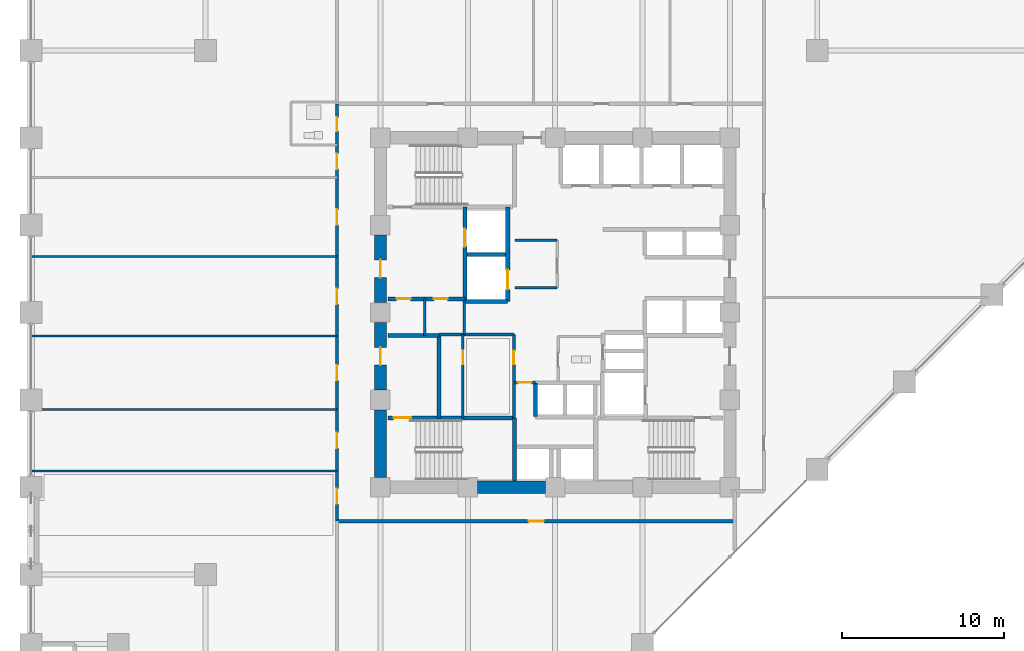
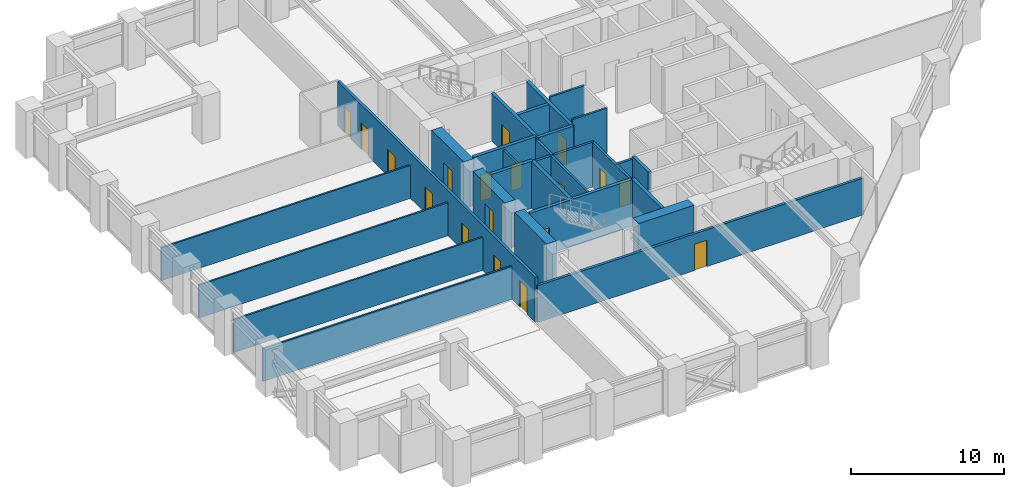
# One storey, part 20 of 25: 28 walls, 18 doors, 18 openings.
"""IFC4 building model written with IfcOpenShell, lengths in metres."""

from ifc_helpers import new_model, si_unit, direction, frame, frame_2d, origin, place, context, subcontext, project, spatial, rectangle, extrude, material, layer, layer_set, type_object, element, fill, save


model = new_model("IFC4")

# Units and contexts
model_context = context("Model", 3, precision=1e-05, world=origin(), true_north=direction((0.0, 1.0)))
body_context = subcontext(model_context, "Body", "Model", "MODEL_VIEW")
ifc_project = project(units=[si_unit("LENGTHUNIT", "METRE"), si_unit("AREAUNIT", "SQUARE_METRE"), si_unit("VOLUMEUNIT", "CUBIC_METRE"), si_unit("PLANEANGLEUNIT", "RADIAN"), si_unit("MASSUNIT", "GRAM", prefix="KILO")], contexts=[model_context])

# Site, building, storey
site_placement = place(None, origin())
site = spatial("IfcSite", under=ifc_project, at=site_placement, CompositionType="ELEMENT")
building_placement = place(site_placement, origin())
building = spatial("IfcBuilding", under=site, at=building_placement, Name="Surkhivell Harbour Commons", CompositionType="ELEMENT")
storey_placement = place(building_placement, frame((0.0, 0.0, 33.75)))
storey = spatial("IfcBuildingStorey", under=building, at=storey_placement, Name="L08", CompositionType="ELEMENT", Elevation=33.75)

# Walls
ifc_material_1 = material(Name="Concrete C60/75", Category="concrete")
ifc_layer_1 = layer(ifc_material_1, 0.75)
ifc_layer_set_1 = layer_set([ifc_layer_1], Name="Concrete C60/75")
wall_type_1 = type_object("IfcWallType", Name="WAL-CORE-750", PredefinedType="SHEAR", material=ifc_layer_set_1)
for number, where, z_axis, x_axis, name in (
    (1, (-10.800048828125, -10.18994140625, 0.0), (0.0, 0.0, 1.0), (0.0, 1.0, 0.0), "L08 Core Shear Wall West 1"),
    (2, (-4.7900390625, -10.800048828125, 0.0), (0.0, 0.0, 1.0), (1.0, 0.0, 0.0), "L08 Core Shear Wall South 2"),
):
    element("IfcWall", number, at=place(storey_placement, frame(where, z_axis=z_axis, x_axis=x_axis)), inside=storey, type_object=wall_type_1, Name=name, PredefinedType="SHEAR", context=body_context, shape_type="SweptSolid", body=[
        extrude(rectangle(XDim=4.179931640625, YDim=0.75, at=frame_2d((2.08984375, 0.0))), origin(), (0.0, 0.0, 1.0), 3.75),
    ])

# Wall, opening, door
wall_1_placement = place(storey_placement, frame((-10.800048828125, -4.7900390625, 0.0), z_axis=(0.0, 0.0, 1.0), x_axis=(0.0, 1.0, 0.0)))
wall_1 = element("IfcWall", 3, at=wall_1_placement, inside=storey, type_object=wall_type_1, Name="L08 Core Shear Wall West 2", PredefinedType="SHEAR", context=body_context, shape_type="SweptSolid", body=[
    extrude(rectangle(XDim=4.179931640625, YDim=0.75, at=frame_2d((2.08984375, 0.0))), origin(), (0.0, 0.0, 1.0), 3.75),
])
opening_1_placement = place(wall_1_placement, frame((1.5400390625, 0.0, 0.0)))
opening_1 = element("IfcOpeningElement", 4, at=opening_1_placement, cuts=wall_1, Name="Opening ID-2", PredefinedType="OPENING", context=body_context, shape_type="SweptSolid", body=[
    extrude(rectangle(XDim=1.10009765625, YDim=2.10009765625, at=frame_2d((0.550048828125, 1.050048828125))), frame((0.0, 0.385009765625, 0.0), z_axis=(0.0, -1.0, 0.0), x_axis=(1.0, 0.0, 0.0)), (0.0, 0.0, 1.0), 0.77001953125),
])
ifc_material_2 = material(Name="Hardwood-veneered fire-rated door leaf", Category="wood")
door_type_1 = type_object("IfcDoorType", Name="DOR-FD60-1100", OperationType="NOTDEFINED", PredefinedType="DOOR", material=ifc_material_2)
door_1_placement = place(opening_1_placement, origin())
door_1 = element("IfcDoor", 5, at=door_1_placement, inside=storey, type_object=door_type_1, Name="L08 Stair 3 Lobby Corridor Door", OperationType="SINGLE_SWING_LEFT", OverallHeight=2.10009765625, OverallWidth=1.10009765625, PredefinedType="DOOR", context=body_context, shape_type="SweptSolid", body=[
    extrude(rectangle(XDim=1.10009765625, YDim=2.10009765625, at=frame_2d((0.550048828125, 1.050048828125))), frame((0.0, 0.02490234375, 0.0), z_axis=(0.0, -1.0, 0.0), x_axis=(1.0, 0.0, 0.0)), (0.0, 0.0, 1.0), 0.050048828125),
])
fill(opening_1, door_1)

wall_2_placement = place(storey_placement, frame((-10.800048828125, 0.610107421875, 0.0), z_axis=(0.0, 0.0, 1.0), x_axis=(0.0, 1.0, 0.0)))
wall_2 = element("IfcWall", 6, at=wall_2_placement, inside=storey, type_object=wall_type_1, Name="L08 Core Shear Wall West 3", PredefinedType="SHEAR", context=body_context, shape_type="SweptSolid", body=[
    extrude(rectangle(XDim=4.179931640625, YDim=0.75, at=frame_2d((2.08984375, 0.0))), origin(), (0.0, 0.0, 1.0), 3.75),
])
opening_2_placement = place(wall_2_placement, frame((1.5400390625, 0.0, 0.0)))
opening_2 = element("IfcOpeningElement", 7, at=opening_2_placement, cuts=wall_2, Name="Opening ID-1", PredefinedType="OPENING", context=body_context, shape_type="SweptSolid", body=[
    extrude(rectangle(XDim=1.10009765625, YDim=2.10009765625, at=frame_2d((0.550048828125, 1.050048828125))), frame((0.0, 0.385009765625, 0.0), z_axis=(0.0, -1.0, 0.0), x_axis=(1.0, 0.0, 0.0)), (0.0, 0.0, 1.0), 0.77001953125),
])
door_type_2 = type_object("IfcDoorType", Name="DOR-FD120-1100", OperationType="NOTDEFINED", PredefinedType="DOOR", material=ifc_material_2)
door_2_placement = place(opening_2_placement, origin())
door_2 = element("IfcDoor", 8, at=door_2_placement, inside=storey, type_object=door_type_2, Name="L08 Firefighting Lobby 1 Corridor Door", OperationType="SINGLE_SWING_LEFT", OverallHeight=2.10009765625, OverallWidth=1.10009765625, PredefinedType="DOOR", context=body_context, shape_type="SweptSolid", body=[
    extrude(rectangle(XDim=1.10009765625, YDim=2.10009765625, at=frame_2d((0.550048828125, 1.050048828125))), frame((0.0, 0.02490234375, 0.0), z_axis=(0.0, -1.0, 0.0), x_axis=(1.0, 0.0, 0.0)), (0.0, 0.0, 1.0), 0.050048828125),
])
fill(opening_2, door_2)

# Walls
ifc_material_3 = material(Name="Moisture-resistant acoustic stud partition", Category="other")
ifc_layer_2 = layer(ifc_material_3, 0.125)
ifc_layer_set_2 = layer_set([ifc_layer_2], Name="Moisture-resistant acoustic stud partition")
wall_type_2 = type_object("IfcWallType", Name="WAL-INT-125", PredefinedType="PARTITIONING", material=ifc_layer_set_2)
for number, where, z_axis, x_axis, name in (
    (9, (-32.340087890625, -5.989990234375, 0.0), (0.0, 0.0, 1.0), (1.0, 0.0, 0.0), "L08 West Partition BDP1"),
    (10, (-32.340087890625, -1.449951171875, 0.0), (0.0, 0.0, 1.0), (1.0, 0.0, 0.0), "L08 West Partition BDP2"),
    (11, (-32.340087890625, 3.449951171875, 0.0), (0.0, 0.0, 1.0), (1.0, 0.0, 0.0), "L08 West Partition BDP3"),
    (12, (-32.340087890625, -9.800048828125, 0.0), (0.0, 0.0, 1.0), (1.0, 0.0, 0.0), "L08 West Partition PBOT"),
):
    element("IfcWall", number, at=place(storey_placement, frame(where, z_axis=z_axis, x_axis=x_axis)), inside=storey, type_object=wall_type_2, Name=name, PredefinedType="PARTITIONING", context=body_context, shape_type="SweptSolid", body=[
        extrude(rectangle(XDim=18.860107421875, YDim=0.125, at=frame_2d((9.43017578125, 0.0))), origin(), (0.0, 0.0, 1.0), 2.62890625),
    ])

# Wall, opening, door
ifc_material_4 = material(Name="Twin-stud acoustic fireboard partition", Category="other")
ifc_layer_3 = layer(ifc_material_4, 0.14990234375)
ifc_layer_set_3 = layer_set([ifc_layer_3], Name="Twin-stud acoustic fireboard partition")
wall_type_3 = type_object("IfcWallType", Name="WAL-INT-150", PredefinedType="PARTITIONING", material=ifc_layer_set_3)
wall_3_placement = place(storey_placement, frame((-5.699951171875, -6.510009765625, 0.0), z_axis=(0.0, 0.0, 1.0), x_axis=(0.0, 1.0, 0.0)))
wall_3 = element("IfcWall", 13, at=wall_3_placement, inside=storey, type_object=wall_type_3, Name="L08 Core Cut B Partition", PredefinedType="PARTITIONING", context=body_context, shape_type="SweptSolid", body=[
    extrude(rectangle(XDim=5.159912109375, YDim=0.14990234375, at=frame_2d((2.580078125, 0.0))), origin(), (0.0, 0.0, 1.0), 3.570068359375),
])
opening_3_placement = place(wall_3_placement, frame((3.300048828125, 0.0, 0.0)))
opening_3 = element("IfcOpeningElement", 14, at=opening_3_placement, cuts=wall_3, Name="Opening ID-6", PredefinedType="OPENING", context=body_context, shape_type="SweptSolid", body=[
    extrude(rectangle(XDim=0.85009765625, YDim=2.10009765625, at=frame_2d((0.425048828125, 1.050048828125))), frame((0.0, 0.0849609375, 0.0), z_axis=(0.0, -1.0, 0.0), x_axis=(1.0, 0.0, 0.0)), (0.0, 0.0, 1.0), 0.169921875),
])
door_type_3 = type_object("IfcDoorType", Name="DOR-FD30-850", OperationType="NOTDEFINED", PredefinedType="DOOR", material=ifc_material_2)
door_3_placement = place(opening_3_placement, origin())
door_3 = element("IfcDoor", 15, at=door_3_placement, inside=storey, type_object=door_type_3, Name="L08 Core Focus Study Door", OperationType="SINGLE_SWING_RIGHT", OverallHeight=2.10009765625, OverallWidth=0.85009765625, PredefinedType="DOOR", context=body_context, shape_type="SweptSolid", body=[
    extrude(rectangle(XDim=0.85009765625, YDim=2.10009765625, at=frame_2d((0.425048828125, 1.050048828125))), frame((0.0, 0.02490234375, 0.0), z_axis=(0.0, -1.0, 0.0), x_axis=(1.0, 0.0, 0.0)), (0.0, 0.0, 1.0), 0.050048828125),
])
fill(opening_3, door_3)

# Walls
wall_4_placement = place(storey_placement, frame((-8.050048828125, -1.419921875, 0.0), z_axis=(0.0, 0.0, 1.0), x_axis=(0.0, 1.0, 0.0)))
element("IfcWall", 16, at=wall_4_placement, inside=storey, type_object=wall_type_3, Name="L08 West Seminar Booth Divider", PredefinedType="PARTITIONING", context=body_context, shape_type="SweptSolid", body=[
    extrude(rectangle(XDim=2.27001953125, YDim=0.14990234375, at=frame_2d((1.135009765625, 0.0))), origin(), (0.0, 0.0, 1.0), 3.570068359375),
])
for number, where, z_axis, x_axis, name in (
    (17, (-2.47998046875, 4.47998046875, 0.0), (0.0, 0.0, 1.0), (1.0, 0.0, 0.0), "L08 Central Reading North Wall"),
    (18, (-2.47998046875, 1.52001953125, 0.0), (0.0, 0.0, 1.0), (1.0, 0.0, 0.0), "L08 Central Reading South Wall"),
):
    element("IfcWall", number, at=place(storey_placement, frame(where, z_axis=z_axis, x_axis=x_axis)), inside=storey, type_object=wall_type_3, Name=name, PredefinedType="PARTITIONING", context=body_context, shape_type="SweptSolid", body=[
        extrude(rectangle(XDim=2.60009765625, YDim=0.14990234375, at=frame_2d((1.300048828125, 0.0))), origin(), (0.0, 0.0, 1.0), 3.570068359375),
    ])

# Wall, opening, door
ifc_material_5 = material(Name="High-density acoustic blockwork fire partition", Category="masonry")
ifc_layer_4 = layer(ifc_material_5, 0.175048828125)
ifc_layer_set_4 = layer_set([ifc_layer_4], Name="High-density acoustic blockwork fire partition")
wall_type_4 = type_object("IfcWallType", Name="WAL-INT-175", PredefinedType="PARTITIONING", material=ifc_layer_set_4)
wall_5_placement = place(storey_placement, frame((-2.550048828125, -6.510009765625, 0.0), z_axis=(0.0, 0.0, 1.0), x_axis=(0.0, 1.0, 0.0)))
wall_5 = element("IfcWall", 19, at=wall_5_placement, inside=storey, type_object=wall_type_4, Name="L08 Core Service Bay East Wall", PredefinedType="PARTITIONING", context=body_context, shape_type="SweptSolid", body=[
    extrude(rectangle(XDim=5.159912109375, YDim=0.175048828125, at=frame_2d((2.580078125, 0.0))), origin(), (0.0, 0.0, 1.0), 3.570068359375),
])
opening_4_placement = place(wall_5_placement, frame((3.300048828125, 0.0, 0.0)))
opening_4 = element("IfcOpeningElement", 20, at=opening_4_placement, cuts=wall_5, Name="Opening ID-6", PredefinedType="OPENING", context=body_context, shape_type="SweptSolid", body=[
    extrude(rectangle(XDim=0.85009765625, YDim=2.10009765625, at=frame_2d((0.425048828125, 1.050048828125))), frame((0.0, 0.097412109375, 0.0), z_axis=(0.0, -1.0, 0.0), x_axis=(1.0, 0.0, 0.0)), (0.0, 0.0, 1.0), 0.195068359375),
])
door_4_placement = place(opening_4_placement, origin())
door_4 = element("IfcDoor", 21, at=door_4_placement, inside=storey, type_object=door_type_3, Name="L08 Core Music Door", OperationType="SINGLE_SWING_LEFT", OverallHeight=2.10009765625, OverallWidth=0.85009765625, PredefinedType="DOOR", context=body_context, shape_type="SweptSolid", body=[
    extrude(rectangle(XDim=0.85009765625, YDim=2.10009765625, at=frame_2d((0.425048828125, 1.050048828125))), frame((0.0, 0.02490234375, 0.0), z_axis=(0.0, -1.0, 0.0), x_axis=(1.0, 0.0, 0.0)), (0.0, 0.0, 1.0), 0.050048828125),
])
fill(opening_4, door_4)

# Walls
wall_6_placement = place(storey_placement, frame((-7.179931640625, -1.35009765625, 0.0), z_axis=(0.0, 0.0, 1.0), x_axis=(1.0, 0.0, 0.0)))
element("IfcWall", 22, at=wall_6_placement, inside=storey, type_object=wall_type_4, Name="L08 Core Service Bay North Wall", PredefinedType="PARTITIONING", context=body_context, shape_type="SweptSolid", body=[
    extrude(rectangle(XDim=4.6298828125, YDim=0.175048828125, at=frame_2d((2.31494140625, 0.0))), origin(), (0.0, 0.0, 1.0), 3.570068359375),
])
wall_7_placement = place(storey_placement, frame((-5.6201171875, -1.35009765625, 0.0), z_axis=(0.0, 0.0, 1.0), x_axis=(0.0, 1.0, 0.0)))
element("IfcWall", 23, at=wall_7_placement, inside=storey, type_object=wall_type_4, Name="L08 West Core Bay East Wall", PredefinedType="PARTITIONING", context=body_context, shape_type="SweptSolid", body=[
    extrude(rectangle(XDim=2.070068359375, YDim=0.175048828125, at=frame_2d((1.03515625, 0.0))), origin(), (0.0, 0.0, 1.0), 3.570068359375),
])

# Wall, opening, door
wall_8_placement = place(storey_placement, frame((-2.52001953125, -4.320068359375, 0.0), z_axis=(0.0, 0.0, 1.0), x_axis=(1.0, 0.0, 0.0)))
wall_8 = element("IfcWall", 24, at=wall_8_placement, inside=storey, type_object=wall_type_4, Name="L08 High-Rise Lobby North Portal Wall", PredefinedType="PARTITIONING", context=body_context, shape_type="SweptSolid", body=[
    extrude(rectangle(XDim=1.300048828125, YDim=0.175048828125, at=frame_2d((0.64990234375, 0.0))), origin(), (0.0, 0.0, 1.0), 3.570068359375),
])
opening_5_placement = place(wall_8_placement, frame((0.219970703125, 0.0, 0.0)))
opening_5 = element("IfcOpeningElement", 25, at=opening_5_placement, cuts=wall_8, Name="Opening ID-6", PredefinedType="OPENING", context=body_context, shape_type="SweptSolid", body=[
    extrude(rectangle(XDim=0.85009765625, YDim=2.10009765625, at=frame_2d((0.425048828125, 1.050048828125))), frame((0.0, 0.097412109375, 0.0), z_axis=(0.0, -1.0, 0.0), x_axis=(1.0, 0.0, 0.0)), (0.0, 0.0, 1.0), 0.195068359375),
])
door_5_placement = place(opening_5_placement, origin())
door_5 = element("IfcDoor", 26, at=door_5_placement, inside=storey, type_object=door_type_3, Name="L08 High-Rise Lift Lobby North Door", OperationType="SINGLE_SWING_LEFT", OverallHeight=2.10009765625, OverallWidth=0.85009765625, PredefinedType="DOOR", context=body_context, shape_type="SweptSolid", body=[
    extrude(rectangle(XDim=0.85009765625, YDim=2.10009765625, at=frame_2d((0.425048828125, 1.050048828125))), frame((0.0, 0.02490234375, 0.0), z_axis=(0.0, -1.0, 0.0), x_axis=(1.0, 0.0, 0.0)), (0.0, 0.0, 1.0), 0.050048828125),
])
fill(opening_5, door_5)

ifc_material_6 = material(Name="Autoclaved aerated concrete blockwork and fire plaster", Category="masonry")
ifc_layer_5 = layer(ifc_material_6, 0.199951171875)
ifc_layer_set_5 = layer_set([ifc_layer_5], Name="Autoclaved aerated concrete blockwork and fire plaster")
wall_type_5 = type_object("IfcWallType", Name="WAL-INT-200", PredefinedType="PARTITIONING", material=ifc_layer_set_5)
wall_9_placement = place(storey_placement, frame((-13.47998046875, -12.89990234375, 0.0), z_axis=(0.0, 0.0, 1.0), x_axis=(1.0, 0.0, 0.0)))
wall_9 = element("IfcWall", 27, at=wall_9_placement, inside=storey, type_object=wall_type_5, Name="L08 Corridor South Wall", PredefinedType="PARTITIONING", context=body_context, shape_type="SweptSolid", body=[
    extrude(rectangle(XDim=24.580078125, YDim=0.199951171875, at=frame_2d((12.2900390625, 0.0))), origin(), (0.0, 0.0, 1.0), 2.929931640625),
])
opening_6_placement = place(wall_9_placement, frame((11.840087890625, 0.0, 0.0)))
opening_6 = element("IfcOpeningElement", 28, at=opening_6_placement, cuts=wall_9, Name="Opening ID-4", PredefinedType="OPENING", context=body_context, shape_type="SweptSolid", body=[
    extrude(rectangle(XDim=0.949951171875, YDim=2.10009765625, at=frame_2d((0.47509765625, 1.050048828125))), frame((0.0, 0.10986328125, 0.0), z_axis=(0.0, -1.0, 0.0), x_axis=(1.0, 0.0, 0.0)), (0.0, 0.0, 1.0), 0.219970703125),
])
door_type_4 = type_object("IfcDoorType", Name="DOR-FD60-950", OperationType="NOTDEFINED", PredefinedType="DOOR", material=ifc_material_2)
door_6_placement = place(opening_6_placement, origin())
door_6 = element("IfcDoor", 29, at=door_6_placement, inside=storey, type_object=door_type_4, Name="L08 Open Academic Study Commons Reading Library South Door", OperationType="SINGLE_SWING_LEFT", OverallHeight=2.10009765625, OverallWidth=0.949951171875, PredefinedType="DOOR", context=body_context, shape_type="SweptSolid", body=[
    extrude(rectangle(XDim=0.949951171875, YDim=2.10009765625, at=frame_2d((0.47509765625, 1.050048828125))), frame((0.0, 0.02490234375, 0.0), z_axis=(0.0, -1.0, 0.0), x_axis=(1.0, 0.0, 0.0)), (0.0, 0.0, 1.0), 0.050048828125),
])
fill(opening_6, door_6)

# Wall, openings, doors
wall_10_placement = place(storey_placement, frame((-13.47998046875, -12.89990234375, 0.0), z_axis=(0.0, 0.0, 1.0), x_axis=(0.0, 1.0, 0.0)))
wall_10 = element("IfcWall", 30, at=wall_10_placement, inside=storey, type_object=wall_type_5, Name="L08 Corridor West Wall", PredefinedType="PARTITIONING", context=body_context, shape_type="SweptSolid", body=[
    extrude(rectangle(XDim=25.7998046875, YDim=0.199951171875, at=frame_2d((12.89990234375, 0.0))), origin(), (0.0, 0.0, 1.0), 3.570068359375),
])
opening_7_placement = place(wall_10_placement, frame((1.070068359375, 0.0, 0.0)))
opening_7 = element("IfcOpeningElement", 31, at=opening_7_placement, cuts=wall_10, Name="Opening ID-4", PredefinedType="OPENING", context=body_context, shape_type="SweptSolid", body=[
    extrude(rectangle(XDim=0.949951171875, YDim=2.10009765625, at=frame_2d((0.47509765625, 1.050048828125))), frame((0.0, 0.10986328125, 0.0), z_axis=(0.0, -1.0, 0.0), x_axis=(1.0, 0.0, 0.0)), (0.0, 0.0, 1.0), 0.219970703125),
])
opening_8_placement = place(wall_10_placement, frame((24.10498046875, 0.0, 0.0)))
opening_8 = element("IfcOpeningElement", 32, at=opening_8_placement, cuts=wall_10, Name="Opening ID-6", PredefinedType="OPENING", context=body_context, shape_type="SweptSolid", body=[
    extrude(rectangle(XDim=0.85009765625, YDim=2.10009765625, at=frame_2d((0.425048828125, 1.050048828125))), frame((0.0, 0.10986328125, 0.0), z_axis=(0.0, -1.0, 0.0), x_axis=(1.0, 0.0, 0.0)), (0.0, 0.0, 1.0), 0.219970703125),
])
opening_9_placement = place(wall_10_placement, frame((21.77001953125, 0.0, 0.0)))
opening_9 = element("IfcOpeningElement", 33, at=opening_9_placement, cuts=wall_10, Name="Opening ID-4", PredefinedType="OPENING", context=body_context, shape_type="SweptSolid", body=[
    extrude(rectangle(XDim=0.949951171875, YDim=2.10009765625, at=frame_2d((0.47509765625, 1.050048828125))), frame((0.0, 0.10986328125, 0.0), z_axis=(0.0, -1.0, 0.0), x_axis=(1.0, 0.0, 0.0)), (0.0, 0.0, 1.0), 0.219970703125),
])
opening_10_placement = place(wall_10_placement, frame((4.52490234375, 0.0, 0.0)))
opening_10 = element("IfcOpeningElement", 34, at=opening_10_placement, cuts=wall_10, Name="Opening ID-4", PredefinedType="OPENING", context=body_context, shape_type="SweptSolid", body=[
    extrude(rectangle(XDim=0.949951171875, YDim=2.10009765625, at=frame_2d((0.47509765625, 1.050048828125))), frame((0.0, 0.10986328125, 0.0), z_axis=(0.0, -1.0, 0.0), x_axis=(1.0, 0.0, 0.0)), (0.0, 0.0, 1.0), 0.219970703125),
])
opening_11_placement = place(wall_10_placement, frame((8.699951171875, 0.0, 0.0)))
opening_11 = element("IfcOpeningElement", 35, at=opening_11_placement, cuts=wall_10, Name="Opening ID-4", PredefinedType="OPENING", context=body_context, shape_type="SweptSolid", body=[
    extrude(rectangle(XDim=0.949951171875, YDim=2.10009765625, at=frame_2d((0.47509765625, 1.050048828125))), frame((0.0, 0.10986328125, 0.0), z_axis=(0.0, -1.0, 0.0), x_axis=(1.0, 0.0, 0.0)), (0.0, 0.0, 1.0), 0.219970703125),
])
opening_12_placement = place(wall_10_placement, frame((13.419921875, 0.0, 0.0)))
opening_12 = element("IfcOpeningElement", 36, at=opening_12_placement, cuts=wall_10, Name="Opening ID-4", PredefinedType="OPENING", context=body_context, shape_type="SweptSolid", body=[
    extrude(rectangle(XDim=0.949951171875, YDim=2.10009765625, at=frame_2d((0.47509765625, 1.050048828125))), frame((0.0, 0.10986328125, 0.0), z_axis=(0.0, -1.0, 0.0), x_axis=(1.0, 0.0, 0.0)), (0.0, 0.0, 1.0), 0.219970703125),
])
opening_13_placement = place(wall_10_placement, frame((18.320068359375, 0.0, 0.0)))
opening_13 = element("IfcOpeningElement", 37, at=opening_13_placement, cuts=wall_10, Name="Opening ID-4", PredefinedType="OPENING", context=body_context, shape_type="SweptSolid", body=[
    extrude(rectangle(XDim=0.949951171875, YDim=2.10009765625, at=frame_2d((0.47509765625, 1.050048828125))), frame((0.0, 0.10986328125, 0.0), z_axis=(0.0, -1.0, 0.0), x_axis=(1.0, 0.0, 0.0)), (0.0, 0.0, 1.0), 0.219970703125),
])
door_7_placement = place(opening_8_placement, origin())
door_7 = element("IfcDoor", 38, at=door_7_placement, inside=storey, type_object=door_type_3, Name="L08 Communal Shower Bathroom West Door", OperationType="SINGLE_SWING_RIGHT", OverallHeight=2.10009765625, OverallWidth=0.85009765625, PredefinedType="DOOR", context=body_context, shape_type="SweptSolid", body=[
    extrude(rectangle(XDim=0.85009765625, YDim=2.10009765625, at=frame_2d((0.425048828125, 1.050048828125))), frame((0.0, 0.02490234375, 0.0), z_axis=(0.0, -1.0, 0.0), x_axis=(1.0, 0.0, 0.0)), (0.0, 0.0, 1.0), 0.050048828125),
])
fill(opening_8, door_7)
door_8_placement = place(opening_7_placement, origin())
door_8 = element("IfcDoor", 39, at=door_8_placement, inside=storey, type_object=door_type_4, Name="L08 Shared Communal Kitchen West Door", OperationType="SINGLE_SWING_LEFT", OverallHeight=2.10009765625, OverallWidth=0.949951171875, PredefinedType="DOOR", context=body_context, shape_type="SweptSolid", body=[
    extrude(rectangle(XDim=0.949951171875, YDim=2.10009765625, at=frame_2d((0.47509765625, 1.050048828125))), frame((0.0, 0.02490234375, 0.0), z_axis=(0.0, -1.0, 0.0), x_axis=(1.0, 0.0, 0.0)), (0.0, 0.0, 1.0), 0.050048828125),
])
fill(opening_7, door_8)
door_9_placement = place(opening_9_placement, origin())
door_9 = element("IfcDoor", 40, at=door_9_placement, inside=storey, type_object=door_type_4, Name="L08 Academic Reading Commons West Door", OperationType="SINGLE_SWING_LEFT", OverallHeight=2.10009765625, OverallWidth=0.949951171875, PredefinedType="DOOR", context=body_context, shape_type="SweptSolid", body=[
    extrude(rectangle(XDim=0.949951171875, YDim=2.10009765625, at=frame_2d((0.47509765625, 1.050048828125))), frame((0.0, 0.02490234375, 0.0), z_axis=(0.0, -1.0, 0.0), x_axis=(1.0, 0.0, 0.0)), (0.0, 0.0, 1.0), 0.050048828125),
])
fill(opening_9, door_9)
door_10_placement = place(opening_10_placement, origin())
door_10 = element("IfcDoor", 41, at=door_10_placement, inside=storey, type_object=door_type_4, Name="L08 Hostel Cluster Bedroom 1 West Door", OperationType="SINGLE_SWING_RIGHT", OverallHeight=2.10009765625, OverallWidth=0.949951171875, PredefinedType="DOOR", context=body_context, shape_type="SweptSolid", body=[
    extrude(rectangle(XDim=0.949951171875, YDim=2.10009765625, at=frame_2d((0.47509765625, 1.050048828125))), frame((0.0, 0.02490234375, 0.0), z_axis=(0.0, -1.0, 0.0), x_axis=(1.0, 0.0, 0.0)), (0.0, 0.0, 1.0), 0.050048828125),
])
fill(opening_10, door_10)
door_11_placement = place(opening_11_placement, origin())
door_11 = element("IfcDoor", 42, at=door_11_placement, inside=storey, type_object=door_type_4, Name="L08 Co-Living Dormitory Bedroom 2 West Door", OperationType="SINGLE_SWING_LEFT", OverallHeight=2.10009765625, OverallWidth=0.949951171875, PredefinedType="DOOR", context=body_context, shape_type="SweptSolid", body=[
    extrude(rectangle(XDim=0.949951171875, YDim=2.10009765625, at=frame_2d((0.47509765625, 1.050048828125))), frame((0.0, 0.02490234375, 0.0), z_axis=(0.0, -1.0, 0.0), x_axis=(1.0, 0.0, 0.0)), (0.0, 0.0, 1.0), 0.050048828125),
])
fill(opening_11, door_11)
door_12_placement = place(opening_12_placement, origin())
door_12 = element("IfcDoor", 43, at=door_12_placement, inside=storey, type_object=door_type_4, Name="L08 Hostel Cluster Bedroom 3 West Door", OperationType="SINGLE_SWING_RIGHT", OverallHeight=2.10009765625, OverallWidth=0.949951171875, PredefinedType="DOOR", context=body_context, shape_type="SweptSolid", body=[
    extrude(rectangle(XDim=0.949951171875, YDim=2.10009765625, at=frame_2d((0.47509765625, 1.050048828125))), frame((0.0, 0.02490234375, 0.0), z_axis=(0.0, -1.0, 0.0), x_axis=(1.0, 0.0, 0.0)), (0.0, 0.0, 1.0), 0.050048828125),
])
fill(opening_12, door_12)
door_13_placement = place(opening_13_placement, origin())
door_13 = element("IfcDoor", 44, at=door_13_placement, inside=storey, type_object=door_type_4, Name="L08 Co-Living Dormitory Bedroom 4 West Door", OperationType="SINGLE_SWING_LEFT", OverallHeight=2.10009765625, OverallWidth=0.949951171875, PredefinedType="DOOR", context=body_context, shape_type="SweptSolid", body=[
    extrude(rectangle(XDim=0.949951171875, YDim=2.10009765625, at=frame_2d((0.47509765625, 1.050048828125))), frame((0.0, 0.02490234375, 0.0), z_axis=(0.0, -1.0, 0.0), x_axis=(1.0, 0.0, 0.0)), (0.0, 0.0, 1.0), 0.050048828125),
])
fill(opening_13, door_13)

# Wall, opening, door
ifc_material_7 = material(Name="Concrete C50/60", Category="concrete")
ifc_layer_6 = layer(ifc_material_7, 0.25)
ifc_layer_set_6 = layer_set([ifc_layer_6], Name="Concrete C50/60")
wall_type_6 = type_object("IfcWallType", Name="WAL-SHAFT-250", PredefinedType="SHEAR", material=ifc_layer_set_6)
wall_11_placement = place(storey_placement, frame((-5.580078125, 0.719970703125, 0.0), z_axis=(0.0, 0.0, 1.0), x_axis=(0.0, 1.0, 0.0)))
wall_11 = element("IfcWall", 45, at=wall_11_placement, inside=storey, type_object=wall_type_6, Name="L08 Firefighting Lobby 1 East Shaft Wall", PredefinedType="SHEAR", context=body_context, shape_type="SweptSolid", body=[
    extrude(rectangle(XDim=5.7900390625, YDim=0.25, at=frame_2d((2.89501953125, 0.0))), origin(), (0.0, 0.0, 1.0), 3.75),
])
opening_14_placement = place(wall_11_placement, frame((3.35009765625, 0.0, 0.0)))
opening_14 = element("IfcOpeningElement", 46, at=opening_14_placement, cuts=wall_11, Name="Opening LD-1", PredefinedType="OPENING", context=body_context, shape_type="SweptSolid", body=[
    extrude(rectangle(XDim=1.10009765625, YDim=2.10009765625, at=frame_2d((0.550048828125, 1.050048828125))), frame((0.0, 0.135009765625, 0.0), z_axis=(0.0, -1.0, 0.0), x_axis=(1.0, 0.0, 0.0)), (0.0, 0.0, 1.0), 0.27001953125),
])
ifc_material_8 = material(Name="Brushed stainless steel S355", Category="steel")
door_type_5 = type_object("IfcDoorType", Name="DOR-LD-1100", OperationType="SLIDING_TO_LEFT", PredefinedType="DOOR", material=ifc_material_8)
door_14_placement = place(opening_14_placement, origin())
door_14 = element("IfcDoor", 47, at=door_14_placement, inside=storey, type_object=door_type_5, Name="L08 Lift Landing Door LD-FFL1", OperationType="SLIDING_TO_LEFT", OverallHeight=2.10009765625, OverallWidth=1.10009765625, PredefinedType="DOOR", context=body_context, shape_type="SweptSolid", body=[
    extrude(rectangle(XDim=1.10009765625, YDim=2.10009765625, at=frame_2d((0.550048828125, 1.050048828125))), frame((0.0, 0.02490234375, 0.0), z_axis=(0.0, -1.0, 0.0), x_axis=(1.0, 0.0, 0.0)), (0.0, 0.0, 1.0), 0.050048828125),
])
fill(opening_14, door_14)

# Wall, openings, doors
wall_12_placement = place(storey_placement, frame((-10.340087890625, 0.85009765625, 0.0), z_axis=(0.0, 0.0, 1.0), x_axis=(1.0, 0.0, 0.0)))
wall_12 = element("IfcWall", 48, at=wall_12_placement, inside=storey, type_object=wall_type_6, Name="L08 Firefighting Lobby 1 South Wall", PredefinedType="SHEAR", context=body_context, shape_type="SweptSolid", body=[
    extrude(rectangle(XDim=4.760009765625, YDim=0.25, at=frame_2d((2.3798828125, 0.0))), origin(), (0.0, 0.0, 1.0), 3.75),
])
opening_15_placement = place(wall_12_placement, frame((0.550048828125, 0.0, 0.0)))
opening_15 = element("IfcOpeningElement", 49, at=opening_15_placement, cuts=wall_12, Name="Opening ID-6", PredefinedType="OPENING", context=body_context, shape_type="SweptSolid", body=[
    extrude(rectangle(XDim=0.85009765625, YDim=2.10009765625, at=frame_2d((0.425048828125, 1.050048828125))), frame((0.0, 0.135009765625, 0.0), z_axis=(0.0, -1.0, 0.0), x_axis=(1.0, 0.0, 0.0)), (0.0, 0.0, 1.0), 0.27001953125),
])
opening_16_placement = place(wall_12_placement, frame((2.85009765625, 0.0, 0.0)))
opening_16 = element("IfcOpeningElement", 50, at=opening_16_placement, cuts=wall_12, Name="Opening ID-6", PredefinedType="OPENING", context=body_context, shape_type="SweptSolid", body=[
    extrude(rectangle(XDim=0.85009765625, YDim=2.10009765625, at=frame_2d((0.425048828125, 1.050048828125))), frame((0.0, 0.135009765625, 0.0), z_axis=(0.0, -1.0, 0.0), x_axis=(1.0, 0.0, 0.0)), (0.0, 0.0, 1.0), 0.27001953125),
])
door_15_placement = place(opening_15_placement, origin())
door_15 = element("IfcDoor", 51, at=door_15_placement, inside=storey, type_object=door_type_3, Name="L08 West Seminar 1 Door", OperationType="SINGLE_SWING_LEFT", OverallHeight=2.10009765625, OverallWidth=0.85009765625, PredefinedType="DOOR", context=body_context, shape_type="SweptSolid", body=[
    extrude(rectangle(XDim=0.85009765625, YDim=2.10009765625, at=frame_2d((0.425048828125, 1.050048828125))), frame((0.0, 0.02490234375, 0.0), z_axis=(0.0, -1.0, 0.0), x_axis=(1.0, 0.0, 0.0)), (0.0, 0.0, 1.0), 0.050048828125),
])
fill(opening_15, door_15)
door_16_placement = place(opening_16_placement, origin())
door_16 = element("IfcDoor", 52, at=door_16_placement, inside=storey, type_object=door_type_3, Name="L08 West Seminar 2 Door", OperationType="SINGLE_SWING_RIGHT", OverallHeight=2.10009765625, OverallWidth=0.85009765625, PredefinedType="DOOR", context=body_context, shape_type="SweptSolid", body=[
    extrude(rectangle(XDim=0.85009765625, YDim=2.10009765625, at=frame_2d((0.425048828125, 1.050048828125))), frame((0.0, 0.02490234375, 0.0), z_axis=(0.0, -1.0, 0.0), x_axis=(1.0, 0.0, 0.0)), (0.0, 0.0, 1.0), 0.050048828125),
])
fill(opening_16, door_16)

# Walls
wall_13_placement = place(storey_placement, frame((-1.219970703125, -6.43994140625, 0.0), z_axis=(0.0, 0.0, 1.0), x_axis=(0.0, 1.0, 0.0)))
element("IfcWall", 53, at=wall_13_placement, inside=storey, type_object=wall_type_6, Name="L08 High-Rise Passage East Shaft Wall", PredefinedType="SHEAR", context=body_context, shape_type="SweptSolid", body=[
    extrude(rectangle(XDim=2.079833984375, YDim=0.25, at=frame_2d((1.0400390625, 0.0))), origin(), (0.0, 0.0, 1.0), 3.75),
])
wall_14_placement = place(storey_placement, frame((-2.510009765625, -10.425048828125, 0.0), z_axis=(0.0, 0.0, 1.0), x_axis=(0.0, 1.0, 0.0)))
element("IfcWall", 54, at=wall_14_placement, inside=storey, type_object=wall_type_6, Name="L08 Stair ST3 East Shear Wall", PredefinedType="SHEAR", context=body_context, shape_type="SweptSolid", body=[
    extrude(rectangle(XDim=3.9150390625, YDim=0.25, at=frame_2d((1.95751953125, 0.0))), origin(), (0.0, 0.0, 1.0), 3.75),
])
wall_15_placement = place(storey_placement, frame((-7.179931640625, -6.510009765625, 0.0), z_axis=(0.0, 0.0, 1.0), x_axis=(0.0, 1.0, 0.0)))
element("IfcWall", 55, at=wall_15_placement, inside=storey, type_object=wall_type_6, Name="L08 Stair 3 Lobby East Wall", PredefinedType="SHEAR", context=body_context, shape_type="SweptSolid", body=[
    extrude(rectangle(XDim=5.090087890625, YDim=0.25, at=frame_2d((2.544921875, 0.0))), origin(), (0.0, 0.0, 1.0), 3.75),
])
wall_16_placement = place(storey_placement, frame((-10.340087890625, -1.419921875, 0.0), z_axis=(0.0, 0.0, 1.0), x_axis=(1.0, 0.0, 0.0)))
element("IfcWall", 56, at=wall_16_placement, inside=storey, type_object=wall_type_6, Name="L08 Stair 3 Lobby North Wall", PredefinedType="SHEAR", context=body_context, shape_type="SweptSolid", body=[
    extrude(rectangle(XDim=3.16015625, YDim=0.25, at=frame_2d((1.580078125, 0.0))), origin(), (0.0, 0.0, 1.0), 3.75),
])

# Wall, opening, door
wall_17_placement = place(storey_placement, frame((-10.340087890625, -6.510009765625, 0.0), z_axis=(0.0, 0.0, 1.0), x_axis=(1.0, 0.0, 0.0)))
wall_17 = element("IfcWall", 57, at=wall_17_placement, inside=storey, type_object=wall_type_6, Name="L08 Stair ST3 North Shear Wall", PredefinedType="SHEAR", context=body_context, shape_type="SweptSolid", body=[
    extrude(rectangle(XDim=7.7001953125, YDim=0.25, at=frame_2d((3.85009765625, 0.0))), origin(), (0.0, 0.0, 1.0), 3.75),
])
opening_17_placement = place(wall_17_placement, frame((0.35009765625, 0.0, 0.0)))
opening_17 = element("IfcOpeningElement", 58, at=opening_17_placement, cuts=wall_17, Name="Opening ID-2", PredefinedType="OPENING", context=body_context, shape_type="SweptSolid", body=[
    extrude(rectangle(XDim=1.10009765625, YDim=2.10009765625, at=frame_2d((0.550048828125, 1.050048828125))), frame((0.0, 0.135009765625, 0.0), z_axis=(0.0, -1.0, 0.0), x_axis=(1.0, 0.0, 0.0)), (0.0, 0.0, 1.0), 0.27001953125),
])
door_17_placement = place(opening_17_placement, origin())
door_17 = element("IfcDoor", 59, at=door_17_placement, inside=storey, type_object=door_type_1, Name="L08 Stair ST3 Exit Door", OperationType="SINGLE_SWING_RIGHT", OverallHeight=2.10009765625, OverallWidth=1.10009765625, PredefinedType="DOOR", context=body_context, shape_type="SweptSolid", body=[
    extrude(rectangle(XDim=1.10009765625, YDim=2.10009765625, at=frame_2d((0.550048828125, 1.050048828125))), frame((0.0, 0.02490234375, 0.0), z_axis=(0.0, -1.0, 0.0), x_axis=(1.0, 0.0, 0.0)), (0.0, 0.0, 1.0), 0.050048828125),
])
fill(opening_17, door_17)

wall_18_placement = place(storey_placement, frame((-2.929931640625, 0.679931640625, 0.0), z_axis=(0.0, 0.0, 1.0), x_axis=(0.0, 1.0, 0.0)))
wall_18 = element("IfcWall", 60, at=wall_18_placement, inside=storey, type_object=wall_type_6, Name="L08 Service and Fire Lift East Shaft Wall", PredefinedType="SHEAR", context=body_context, shape_type="SweptSolid", body=[
    extrude(rectangle(XDim=5.830078125, YDim=0.25, at=frame_2d((2.9150390625, 0.0))), origin(), (0.0, 0.0, 1.0), 3.75),
])
opening_18_placement = place(wall_18_placement, frame((0.75, 0.0, 0.0)))
opening_18 = element("IfcOpeningElement", 61, at=opening_18_placement, cuts=wall_18, Name="Opening LD-2", PredefinedType="OPENING", context=body_context, shape_type="SweptSolid", body=[
    extrude(rectangle(XDim=1.199951171875, YDim=2.10009765625, at=frame_2d((0.60009765625, 1.050048828125))), frame((0.0, 0.135009765625, 0.0), z_axis=(0.0, -1.0, 0.0), x_axis=(1.0, 0.0, 0.0)), (0.0, 0.0, 1.0), 0.27001953125),
])
door_type_6 = type_object("IfcDoorType", Name="DOR-LD-1200", OperationType="SLIDING_TO_LEFT", PredefinedType="DOOR", material=ifc_material_8)
door_18_placement = place(opening_18_placement, origin())
door_18 = element("IfcDoor", 62, at=door_18_placement, inside=storey, type_object=door_type_6, Name="L08 Lift Landing Door LD-SVL1", OperationType="SLIDING_TO_LEFT", OverallHeight=2.10009765625, OverallWidth=1.199951171875, PredefinedType="DOOR", context=body_context, shape_type="SweptSolid", body=[
    extrude(rectangle(XDim=1.199951171875, YDim=2.10009765625, at=frame_2d((0.60009765625, 1.050048828125))), frame((0.0, 0.02490234375, 0.0), z_axis=(0.0, -1.0, 0.0), x_axis=(1.0, 0.0, 0.0)), (0.0, 0.0, 1.0), 0.050048828125),
])
fill(opening_18, door_18)

# Walls
wall_19_placement = place(storey_placement, frame((-5.449951171875, 3.60009765625, 0.0), z_axis=(0.0, 0.0, 1.0), x_axis=(1.0, 0.0, 0.0)))
element("IfcWall", 63, at=wall_19_placement, inside=storey, type_object=wall_type_6, Name="L08 FFL1/SVL1 Shaft Divider", PredefinedType="SHEAR", context=body_context, shape_type="SweptSolid", body=[
    extrude(rectangle(XDim=2.389892578125, YDim=0.25, at=frame_2d((1.19482421875, 0.0))), origin(), (0.0, 0.0, 1.0), 3.75),
])
wall_20_placement = place(storey_placement, frame((-5.580078125, 0.679931640625, 0.0), z_axis=(0.0, 0.0, 1.0), x_axis=(1.0, 0.0, 0.0)))
element("IfcWall", 64, at=wall_20_placement, inside=storey, type_object=wall_type_6, Name="L08 SVL1 South Shaft Wall", PredefinedType="SHEAR", context=body_context, shape_type="SweptSolid", body=[
    extrude(rectangle(XDim=2.650146484375, YDim=0.25, at=frame_2d((1.3251953125, 0.0))), origin(), (0.0, 0.0, 1.0), 3.75),
])

save(model, "model.ifc")
